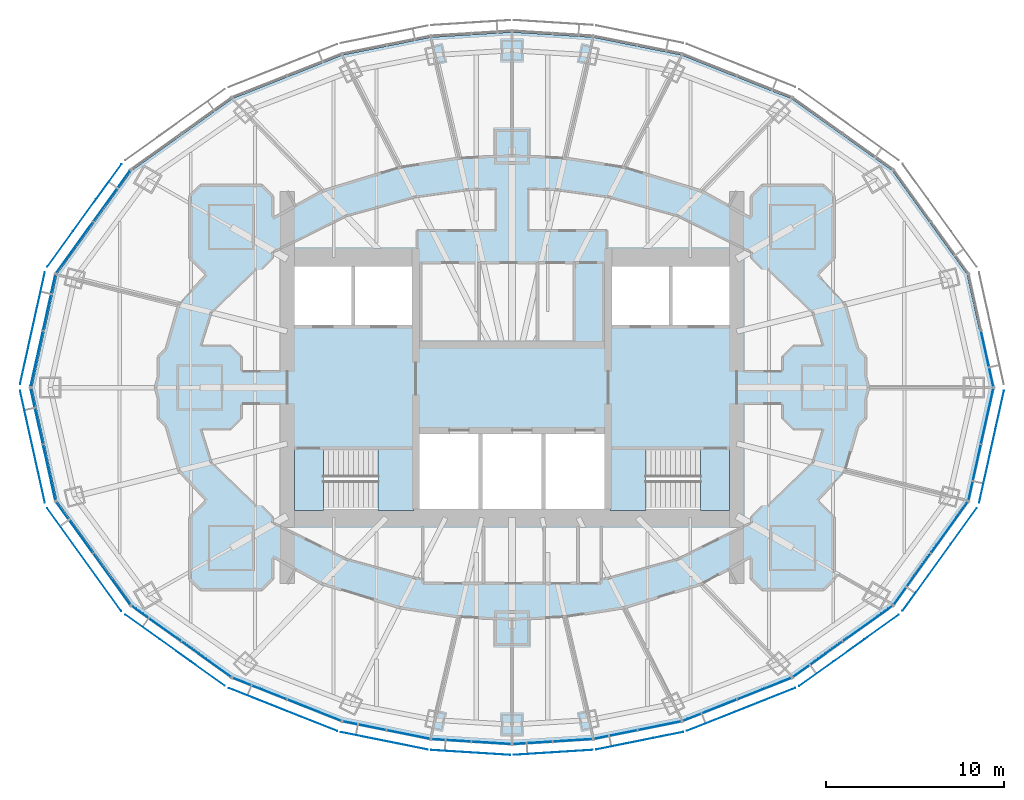
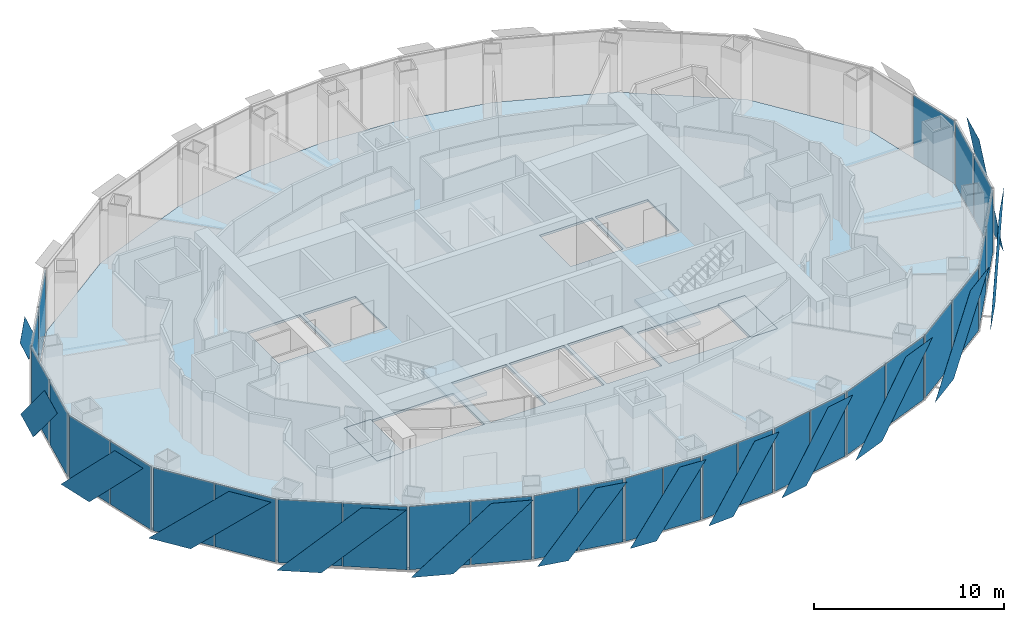
# One storey, part 10 of 19: 43 plates, 5 slabs, 17 elements without a shape of their own.
"""IFC4 building model written with IfcOpenShell, lengths in metres."""

from ifc_helpers import new_model, si_unit, direction, frame, origin, origin_2d, place, context, subcontext, project, spatial, polyline, rectangle, outline, extrude, material, layer, layer_set, type_object, element, aggregate, save


model = new_model("IFC4")

# Units and contexts
model_context = context("Model", 3, precision=1e-05, world=origin(), true_north=direction((0.0, 1.0)))
body_context = subcontext(model_context, "Body", "Model", "MODEL_VIEW")
ifc_project = project(units=[si_unit("LENGTHUNIT", "METRE"), si_unit("AREAUNIT", "SQUARE_METRE"), si_unit("VOLUMEUNIT", "CUBIC_METRE"), si_unit("PLANEANGLEUNIT", "RADIAN"), si_unit("MASSUNIT", "GRAM", prefix="KILO")], contexts=[model_context])

# Site, building, storey
site_placement = place(None, origin())
site = spatial("IfcSite", under=ifc_project, at=site_placement, CompositionType="ELEMENT")
building_placement = place(site_placement, origin())
building = spatial("IfcBuilding", under=site, at=building_placement, Name="Lantaw Convention Tower", CompositionType="ELEMENT")
storey_placement = place(building_placement, frame((0.0, 0.0, 245.199951171875)))
storey = spatial("IfcBuildingStorey", under=building, at=storey_placement, Name="L57", CompositionType="ELEMENT", Elevation=245.199951171875)

# Curtain wall, plate
ifc_material_1 = material(Name="Aluminium framed curtain wall", Category="aluminium")
curtain_wall_type = type_object("IfcCurtainWallType", Name="Office curtain wall high rise, pale aluminium", PredefinedType="USERDEFINED", material=ifc_material_1)
curtain_wall_1_placement = place(storey_placement, origin())
curtain_wall_1 = element("IfcCurtainWall", 1, at=curtain_wall_1_placement, inside=storey, type_object=curtain_wall_type, Name="Office curtain wall high rise, pale aluminium L57", ObjectType="UNITISED CURTAIN WALL", PredefinedType="USERDEFINED")
ifc_material_2 = material(Name="Clear insulating glass", Category="glass")
ifc_layer_1 = layer(ifc_material_2, 0.028076171875)
ifc_layer_set_1 = layer_set([ifc_layer_1], Name="CW-O2 panel 28")
plate_type_1 = type_object("IfcPlateType", Name="CW-O2 panel 28", PredefinedType="CURTAIN_PANEL", material=ifc_layer_set_1)
plate_1_placement = place(storey_placement, frame((26.643798828125, 1.61083984375, -0.0849609375), z_axis=(0.0, 0.0, 1.0), x_axis=(-0.215891333626, 0.976417396437, 0.0)))
plate_1 = element("IfcPlate", 2, at=plate_1_placement, type_object=plate_type_1, Name="CW-O2 panel 1.1", PredefinedType="CURTAIN_PANEL", context=body_context, shape_type="SweptSolid", body=[
    extrude(rectangle(XDim=3.169677734375, YDim=0.028076171875, at=origin_2d()), origin(), (0.0, 0.0, 1.0), 4.070068359375),
])
aggregate(curtain_wall_1, [plate_1])

# Curtain wall, plates
curtain_wall_2_placement = place(storey_placement, origin())
curtain_wall_2 = element("IfcCurtainWall", 3, at=curtain_wall_2_placement, inside=storey, type_object=curtain_wall_type, Name="Office curtain wall high rise, pale aluminium L57", ObjectType="UNITISED CURTAIN WALL", PredefinedType="USERDEFINED")
plate_2_placement = place(storey_placement, frame((-22.4404296875, 10.743896484375, -0.0849609375), z_axis=(0.0, 0.0, 1.0), x_axis=(-0.585157643865, -0.810919559405, 0.0)))
plate_2 = element("IfcPlate", 4, at=plate_2_placement, type_object=plate_type_1, Name="CW-O2 panel 1.1", PredefinedType="CURTAIN_PANEL", context=body_context, shape_type="SweptSolid", body=[
    extrude(rectangle(XDim=3.500732421875, YDim=0.028076171875, at=origin_2d()), origin(), (0.0, 0.0, 1.0), 4.070068359375),
])
plate_3_placement = place(storey_placement, frame((-24.527099609375, 7.852294921875, -0.0849609375), z_axis=(0.0, 0.0, 1.0), x_axis=(-0.585157643865, -0.810919559405, 0.0)))
plate_3 = element("IfcPlate", 5, at=plate_3_placement, type_object=plate_type_1, Name="CW-O2 panel 2.1", PredefinedType="CURTAIN_PANEL", context=body_context, shape_type="SweptSolid", body=[
    extrude(rectangle(XDim=3.500732421875, YDim=0.028076171875, at=origin_2d()), origin(), (0.0, 0.0, 1.0), 4.070068359375),
])
aggregate(curtain_wall_2, [plate_2, plate_3])

curtain_wall_3_placement = place(storey_placement, origin())
curtain_wall_3 = element("IfcCurtainWall", 6, at=curtain_wall_3_placement, inside=storey, type_object=curtain_wall_type, Name="Office curtain wall high rise, pale aluminium L57", ObjectType="UNITISED CURTAIN WALL", PredefinedType="USERDEFINED")
plate_4_placement = place(storey_placement, frame((-25.945556640625, 4.769287109375, -0.0849609375), z_axis=(0.0, 0.0, 1.0), x_axis=(-0.215891333626, -0.976417396437, 0.0)))
plate_4 = element("IfcPlate", 7, at=plate_4_placement, type_object=plate_type_1, Name="CW-O2 panel 1.1", PredefinedType="CURTAIN_PANEL", context=body_context, shape_type="SweptSolid", body=[
    extrude(rectangle(XDim=3.169677734375, YDim=0.028076171875, at=origin_2d()), origin(), (0.0, 0.0, 1.0), 4.070068359375),
])
plate_5_placement = place(storey_placement, frame((-26.643798828125, 1.61083984375, -0.0849609375), z_axis=(0.0, 0.0, 1.0), x_axis=(-0.215891333626, -0.976417396437, 0.0)))
plate_5 = element("IfcPlate", 8, at=plate_5_placement, type_object=plate_type_1, Name="CW-O2 panel 2.1", PredefinedType="CURTAIN_PANEL", context=body_context, shape_type="SweptSolid", body=[
    extrude(rectangle(XDim=3.169677734375, YDim=0.028076171875, at=origin_2d()), origin(), (0.0, 0.0, 1.0), 4.070068359375),
])
aggregate(curtain_wall_3, [plate_4, plate_5])

curtain_wall_4_placement = place(storey_placement, origin())
curtain_wall_4 = element("IfcCurtainWall", 9, at=curtain_wall_4_placement, inside=storey, type_object=curtain_wall_type, Name="Office curtain wall high rise, pale aluminium L57", ObjectType="UNITISED CURTAIN WALL", PredefinedType="USERDEFINED")
plate_6_placement = place(storey_placement, frame((-26.643798828125, -1.61083984375, -0.0849609375), z_axis=(0.0, 0.0, 1.0), x_axis=(0.215891333626, -0.976417396437, 0.0)))
plate_6 = element("IfcPlate", 10, at=plate_6_placement, type_object=plate_type_1, Name="CW-O2 panel 1.1", PredefinedType="CURTAIN_PANEL", context=body_context, shape_type="SweptSolid", body=[
    extrude(rectangle(XDim=3.169677734375, YDim=0.028076171875, at=origin_2d()), origin(), (0.0, 0.0, 1.0), 4.070068359375),
])
plate_7_placement = place(storey_placement, frame((-25.945556640625, -4.769287109375, -0.0849609375), z_axis=(0.0, 0.0, 1.0), x_axis=(0.215891333626, -0.976417396437, 0.0)))
plate_7 = element("IfcPlate", 11, at=plate_7_placement, type_object=plate_type_1, Name="CW-O2 panel 2.1", PredefinedType="CURTAIN_PANEL", context=body_context, shape_type="SweptSolid", body=[
    extrude(rectangle(XDim=3.169677734375, YDim=0.028076171875, at=origin_2d()), origin(), (0.0, 0.0, 1.0), 4.070068359375),
])
aggregate(curtain_wall_4, [plate_6, plate_7])

curtain_wall_5_placement = place(storey_placement, origin())
curtain_wall_5 = element("IfcCurtainWall", 12, at=curtain_wall_5_placement, inside=storey, type_object=curtain_wall_type, Name="Office curtain wall high rise, pale aluminium L57", ObjectType="UNITISED CURTAIN WALL", PredefinedType="USERDEFINED")
plate_8_placement = place(storey_placement, frame((-24.527099609375, -7.852294921875, -0.0849609375), z_axis=(0.0, 0.0, 1.0), x_axis=(0.585157643865, -0.810919559405, 0.0)))
plate_8 = element("IfcPlate", 13, at=plate_8_placement, type_object=plate_type_1, Name="CW-O2 panel 1.1", PredefinedType="CURTAIN_PANEL", context=body_context, shape_type="SweptSolid", body=[
    extrude(rectangle(XDim=3.500732421875, YDim=0.028076171875, at=origin_2d()), origin(), (0.0, 0.0, 1.0), 4.070068359375),
])
plate_9_placement = place(storey_placement, frame((-22.4404296875, -10.743896484375, -0.0849609375), z_axis=(0.0, 0.0, 1.0), x_axis=(0.585157643865, -0.810919559405, 0.0)))
plate_9 = element("IfcPlate", 14, at=plate_9_placement, type_object=plate_type_1, Name="CW-O2 panel 2.1", PredefinedType="CURTAIN_PANEL", context=body_context, shape_type="SweptSolid", body=[
    extrude(rectangle(XDim=3.500732421875, YDim=0.028076171875, at=origin_2d()), origin(), (0.0, 0.0, 1.0), 4.070068359375),
])
aggregate(curtain_wall_5, [plate_8, plate_9])

curtain_wall_6_placement = place(storey_placement, origin())
curtain_wall_6 = element("IfcCurtainWall", 15, at=curtain_wall_6_placement, inside=storey, type_object=curtain_wall_type, Name="Office curtain wall high rise, pale aluminium L57", ObjectType="UNITISED CURTAIN WALL", PredefinedType="USERDEFINED")
plate_10_placement = place(storey_placement, frame((-19.947509765625, -13.23828125, -0.0849609375), z_axis=(0.0, 0.0, 1.0), x_axis=(0.813672540482, -0.581323487281, 0.0)))
plate_10 = element("IfcPlate", 16, at=plate_10_placement, type_object=plate_type_1, Name="CW-O2 panel 1.1", PredefinedType="CURTAIN_PANEL", context=body_context, shape_type="SweptSolid", body=[
    extrude(rectangle(XDim=3.386474609375, YDim=0.028076171875, at=origin_2d()), origin(), (0.0, 0.0, 1.0), 4.070068359375),
])
plate_11_placement = place(storey_placement, frame((-17.13916015625, -15.24462890625, -0.0849609375), z_axis=(0.0, 0.0, 1.0), x_axis=(0.813672540482, -0.581323487281, 0.0)))
plate_11 = element("IfcPlate", 17, at=plate_11_placement, type_object=plate_type_1, Name="CW-O2 panel 2.1", PredefinedType="CURTAIN_PANEL", context=body_context, shape_type="SweptSolid", body=[
    extrude(rectangle(XDim=3.386474609375, YDim=0.028076171875, at=origin_2d()), origin(), (0.0, 0.0, 1.0), 4.070068359375),
])
aggregate(curtain_wall_6, [plate_10, plate_11])

curtain_wall_7_placement = place(storey_placement, origin())
curtain_wall_7 = element("IfcCurtainWall", 18, at=curtain_wall_7_placement, inside=storey, type_object=curtain_wall_type, Name="Office curtain wall high rise, pale aluminium L57", ObjectType="UNITISED CURTAIN WALL", PredefinedType="USERDEFINED")
plate_12_placement = place(storey_placement, frame((-14.14990234375, -16.8837890625, -0.0849609375), z_axis=(0.0, 0.0, 1.0), x_axis=(0.929761533743, -0.368162315252, 0.0)))
plate_12 = element("IfcPlate", 19, at=plate_12_placement, type_object=plate_type_1, Name="CW-O2 panel 1.1", PredefinedType="CURTAIN_PANEL", context=body_context, shape_type="SweptSolid", body=[
    extrude(rectangle(XDim=3.222900390625, YDim=0.028076171875, at=origin_2d()), origin(), (0.0, 0.0, 1.0), 4.070068359375),
])
plate_13_placement = place(storey_placement, frame((-11.0927734375, -18.094482421875, -0.0849609375), z_axis=(0.0, 0.0, 1.0), x_axis=(0.929761533743, -0.368162315252, 0.0)))
plate_13 = element("IfcPlate", 20, at=plate_13_placement, type_object=plate_type_1, Name="CW-O2 panel 2.1", PredefinedType="CURTAIN_PANEL", context=body_context, shape_type="SweptSolid", body=[
    extrude(rectangle(XDim=3.222900390625, YDim=0.028076171875, at=origin_2d()), origin(), (0.0, 0.0, 1.0), 4.070068359375),
])
aggregate(curtain_wall_7, [plate_12, plate_13])

curtain_wall_8_placement = place(storey_placement, origin())
curtain_wall_8 = element("IfcCurtainWall", 21, at=curtain_wall_8_placement, inside=storey, type_object=curtain_wall_type, Name="Office curtain wall high rise, pale aluminium L57", ObjectType="UNITISED CURTAIN WALL", PredefinedType="USERDEFINED")
plate_14_placement = place(storey_placement, frame((-8.2724609375, -18.96533203125, -0.0849609375), z_axis=(0.0, 0.0, 1.0), x_axis=(0.980366679695, -0.197183095987, 0.0)))
plate_14 = element("IfcPlate", 22, at=plate_14_placement, type_object=plate_type_1, Name="CW-O2 panel 1.1", PredefinedType="CURTAIN_PANEL", context=body_context, shape_type="SweptSolid", body=[
    extrude(rectangle(XDim=2.44384765625, YDim=0.028076171875, at=origin_2d()), origin(), (0.0, 0.0, 1.0), 4.070068359375),
])
plate_15_placement = place(storey_placement, frame((-5.81298828125, -19.4599609375, -0.0849609375), z_axis=(0.0, 0.0, 1.0), x_axis=(0.980366679695, -0.197183095987, 0.0)))
plate_15 = element("IfcPlate", 23, at=plate_15_placement, type_object=plate_type_1, Name="CW-O2 panel 2.1", PredefinedType="CURTAIN_PANEL", context=body_context, shape_type="SweptSolid", body=[
    extrude(rectangle(XDim=2.44384765625, YDim=0.028076171875, at=origin_2d()), origin(), (0.0, 0.0, 1.0), 4.070068359375),
])
aggregate(curtain_wall_8, [plate_14, plate_15])

curtain_wall_9_placement = place(storey_placement, origin())
curtain_wall_9 = element("IfcCurtainWall", 24, at=curtain_wall_9_placement, inside=storey, type_object=curtain_wall_type, Name="Office curtain wall high rise, pale aluminium L57", ObjectType="UNITISED CURTAIN WALL", PredefinedType="USERDEFINED")
plate_16_placement = place(storey_placement, frame((-3.397216796875, -19.786376953125, -0.0849609375), z_axis=(0.0, 0.0, 1.0), x_axis=(0.998028774865, -0.062757983884, 0.0)))
plate_16 = element("IfcPlate", 25, at=plate_16_placement, type_object=plate_type_1, Name="CW-O2 panel 1.1", PredefinedType="CURTAIN_PANEL", context=body_context, shape_type="SweptSolid", body=[
    extrude(rectangle(XDim=2.1826171875, YDim=0.028076171875, at=origin_2d()), origin(), (0.0, 0.0, 1.0), 4.070068359375),
])
plate_17_placement = place(storey_placement, frame((-1.154052734375, -19.927490234375, -0.0849609375), z_axis=(0.0, 0.0, 1.0), x_axis=(0.998028774865, -0.062757983884, 0.0)))
plate_17 = element("IfcPlate", 26, at=plate_17_placement, type_object=plate_type_1, Name="CW-O2 panel 2.1", PredefinedType="CURTAIN_PANEL", context=body_context, shape_type="SweptSolid", body=[
    extrude(rectangle(XDim=2.1826171875, YDim=0.028076171875, at=origin_2d()), origin(), (0.0, 0.0, 1.0), 4.070068359375),
])
aggregate(curtain_wall_9, [plate_16, plate_17])

curtain_wall_10_placement = place(storey_placement, origin())
curtain_wall_10 = element("IfcCurtainWall", 27, at=curtain_wall_10_placement, inside=storey, type_object=curtain_wall_type, Name="Office curtain wall high rise, pale aluminium L57", ObjectType="UNITISED CURTAIN WALL", PredefinedType="USERDEFINED")
plate_18_placement = place(storey_placement, frame((1.154052734375, -19.927490234375, -0.0849609375), z_axis=(0.0, 0.0, 1.0), x_axis=(0.998028774865, 0.062757983884, 0.0)))
plate_18 = element("IfcPlate", 28, at=plate_18_placement, type_object=plate_type_1, Name="CW-O2 panel 1.1", PredefinedType="CURTAIN_PANEL", context=body_context, shape_type="SweptSolid", body=[
    extrude(rectangle(XDim=2.1826171875, YDim=0.028076171875, at=origin_2d()), origin(), (0.0, 0.0, 1.0), 4.070068359375),
])
plate_19_placement = place(storey_placement, frame((3.397216796875, -19.786376953125, -0.0849609375), z_axis=(0.0, 0.0, 1.0), x_axis=(0.998028774865, 0.062757983884, 0.0)))
plate_19 = element("IfcPlate", 29, at=plate_19_placement, type_object=plate_type_1, Name="CW-O2 panel 2.1", PredefinedType="CURTAIN_PANEL", context=body_context, shape_type="SweptSolid", body=[
    extrude(rectangle(XDim=2.1826171875, YDim=0.028076171875, at=origin_2d()), origin(), (0.0, 0.0, 1.0), 4.070068359375),
])
aggregate(curtain_wall_10, [plate_18, plate_19])

curtain_wall_11_placement = place(storey_placement, origin())
curtain_wall_11 = element("IfcCurtainWall", 30, at=curtain_wall_11_placement, inside=storey, type_object=curtain_wall_type, Name="Office curtain wall high rise, pale aluminium L57", ObjectType="UNITISED CURTAIN WALL", PredefinedType="USERDEFINED")
plate_20_placement = place(storey_placement, frame((5.81298828125, -19.4599609375, -0.0849609375), z_axis=(0.0, 0.0, 1.0), x_axis=(0.980366679695, 0.197183095987, 0.0)))
plate_20 = element("IfcPlate", 31, at=plate_20_placement, type_object=plate_type_1, Name="CW-O2 panel 1.1", PredefinedType="CURTAIN_PANEL", context=body_context, shape_type="SweptSolid", body=[
    extrude(rectangle(XDim=2.44384765625, YDim=0.028076171875, at=origin_2d()), origin(), (0.0, 0.0, 1.0), 4.070068359375),
])
plate_21_placement = place(storey_placement, frame((8.2724609375, -18.96533203125, -0.0849609375), z_axis=(0.0, 0.0, 1.0), x_axis=(0.980366679695, 0.197183095987, 0.0)))
plate_21 = element("IfcPlate", 32, at=plate_21_placement, type_object=plate_type_1, Name="CW-O2 panel 2.1", PredefinedType="CURTAIN_PANEL", context=body_context, shape_type="SweptSolid", body=[
    extrude(rectangle(XDim=2.44384765625, YDim=0.028076171875, at=origin_2d()), origin(), (0.0, 0.0, 1.0), 4.070068359375),
])
aggregate(curtain_wall_11, [plate_20, plate_21])

curtain_wall_12_placement = place(storey_placement, origin())
curtain_wall_12 = element("IfcCurtainWall", 33, at=curtain_wall_12_placement, inside=storey, type_object=curtain_wall_type, Name="Office curtain wall high rise, pale aluminium L57", ObjectType="UNITISED CURTAIN WALL", PredefinedType="USERDEFINED")
plate_22_placement = place(storey_placement, frame((11.0927734375, -18.094482421875, -0.0849609375), z_axis=(0.0, 0.0, 1.0), x_axis=(0.929761533743, 0.368162315252, 0.0)))
plate_22 = element("IfcPlate", 34, at=plate_22_placement, type_object=plate_type_1, Name="CW-O2 panel 1.1", PredefinedType="CURTAIN_PANEL", context=body_context, shape_type="SweptSolid", body=[
    extrude(rectangle(XDim=3.222900390625, YDim=0.028076171875, at=origin_2d()), origin(), (0.0, 0.0, 1.0), 4.070068359375),
])
plate_23_placement = place(storey_placement, frame((14.14990234375, -16.8837890625, -0.0849609375), z_axis=(0.0, 0.0, 1.0), x_axis=(0.929761533743, 0.368162315252, 0.0)))
plate_23 = element("IfcPlate", 35, at=plate_23_placement, type_object=plate_type_1, Name="CW-O2 panel 2.1", PredefinedType="CURTAIN_PANEL", context=body_context, shape_type="SweptSolid", body=[
    extrude(rectangle(XDim=3.222900390625, YDim=0.028076171875, at=origin_2d()), origin(), (0.0, 0.0, 1.0), 4.070068359375),
])
aggregate(curtain_wall_12, [plate_22, plate_23])

curtain_wall_13_placement = place(storey_placement, origin())
curtain_wall_13 = element("IfcCurtainWall", 36, at=curtain_wall_13_placement, inside=storey, type_object=curtain_wall_type, Name="Office curtain wall high rise, pale aluminium L57", ObjectType="UNITISED CURTAIN WALL", PredefinedType="USERDEFINED")
plate_24_placement = place(storey_placement, frame((17.13916015625, -15.24462890625, -0.0849609375), z_axis=(0.0, 0.0, 1.0), x_axis=(0.813672540482, 0.581323487281, 0.0)))
plate_24 = element("IfcPlate", 37, at=plate_24_placement, type_object=plate_type_1, Name="CW-O2 panel 1.1", PredefinedType="CURTAIN_PANEL", context=body_context, shape_type="SweptSolid", body=[
    extrude(rectangle(XDim=3.386474609375, YDim=0.028076171875, at=origin_2d()), origin(), (0.0, 0.0, 1.0), 4.070068359375),
])
plate_25_placement = place(storey_placement, frame((19.947509765625, -13.23828125, -0.0849609375), z_axis=(0.0, 0.0, 1.0), x_axis=(0.813672540482, 0.581323487281, 0.0)))
plate_25 = element("IfcPlate", 38, at=plate_25_placement, type_object=plate_type_1, Name="CW-O2 panel 2.1", PredefinedType="CURTAIN_PANEL", context=body_context, shape_type="SweptSolid", body=[
    extrude(rectangle(XDim=3.386474609375, YDim=0.028076171875, at=origin_2d()), origin(), (0.0, 0.0, 1.0), 4.070068359375),
])
aggregate(curtain_wall_13, [plate_24, plate_25])

curtain_wall_14_placement = place(storey_placement, origin())
curtain_wall_14 = element("IfcCurtainWall", 39, at=curtain_wall_14_placement, inside=storey, type_object=curtain_wall_type, Name="Office curtain wall high rise, pale aluminium L57", ObjectType="UNITISED CURTAIN WALL", PredefinedType="USERDEFINED")
plate_26_placement = place(storey_placement, frame((22.4404296875, -10.743896484375, -0.0849609375), z_axis=(0.0, 0.0, 1.0), x_axis=(0.585157643865, 0.810919559405, 0.0)))
plate_26 = element("IfcPlate", 40, at=plate_26_placement, type_object=plate_type_1, Name="CW-O2 panel 1.1", PredefinedType="CURTAIN_PANEL", context=body_context, shape_type="SweptSolid", body=[
    extrude(rectangle(XDim=3.500732421875, YDim=0.028076171875, at=origin_2d()), origin(), (0.0, 0.0, 1.0), 4.070068359375),
])
plate_27_placement = place(storey_placement, frame((24.527099609375, -7.852294921875, -0.0849609375), z_axis=(0.0, 0.0, 1.0), x_axis=(0.585157643865, 0.810919559405, 0.0)))
plate_27 = element("IfcPlate", 41, at=plate_27_placement, type_object=plate_type_1, Name="CW-O2 panel 2.1", PredefinedType="CURTAIN_PANEL", context=body_context, shape_type="SweptSolid", body=[
    extrude(rectangle(XDim=3.500732421875, YDim=0.028076171875, at=origin_2d()), origin(), (0.0, 0.0, 1.0), 4.070068359375),
])
aggregate(curtain_wall_14, [plate_26, plate_27])

curtain_wall_15_placement = place(storey_placement, origin())
curtain_wall_15 = element("IfcCurtainWall", 42, at=curtain_wall_15_placement, inside=storey, type_object=curtain_wall_type, Name="Office curtain wall high rise, pale aluminium L57", ObjectType="UNITISED CURTAIN WALL", PredefinedType="USERDEFINED")
plate_28_placement = place(storey_placement, frame((25.945556640625, -4.769287109375, -0.0849609375), z_axis=(0.0, 0.0, 1.0), x_axis=(0.215891333626, 0.976417396437, 0.0)))
plate_28 = element("IfcPlate", 43, at=plate_28_placement, type_object=plate_type_1, Name="CW-O2 panel 1.1", PredefinedType="CURTAIN_PANEL", context=body_context, shape_type="SweptSolid", body=[
    extrude(rectangle(XDim=3.169677734375, YDim=0.028076171875, at=origin_2d()), origin(), (0.0, 0.0, 1.0), 4.070068359375),
])
plate_29_placement = place(storey_placement, frame((26.643798828125, -1.61083984375, -0.0849609375), z_axis=(0.0, 0.0, 1.0), x_axis=(0.215891333626, 0.976417396437, 0.0)))
plate_29 = element("IfcPlate", 44, at=plate_29_placement, type_object=plate_type_1, Name="CW-O2 panel 2.1", PredefinedType="CURTAIN_PANEL", context=body_context, shape_type="SweptSolid", body=[
    extrude(rectangle(XDim=3.169677734375, YDim=0.028076171875, at=origin_2d()), origin(), (0.0, 0.0, 1.0), 4.070068359375),
])
aggregate(curtain_wall_15, [plate_28, plate_29])

# Slab
ifc_material_3 = material(Name="Concrete C35/45", Category="concrete")
ifc_layer_2 = layer(ifc_material_3, 0.14990234375)
ifc_layer_set_2 = layer_set([ifc_layer_2], Name="Floor slab 150")
slab_type_1 = type_object("IfcSlabType", Name="Floor slab 150", PredefinedType="FLOOR", material=ifc_layer_set_2)
slab_1_placement = place(storey_placement, frame((0.0, 0.0, -0.14990234375)))
element("IfcSlab", 45, at=slab_1_placement, inside=storey, type_object=slab_type_1, Name="L57 floor slab", PredefinedType="FLOOR", context=body_context, shape_type="SweptSolid", body=[
    extrude(outline(polyline([(25.51953125, -6.348876953125), (26.923095703125, 0.0), (25.51953125, 6.348876953125), (21.324462890625, 12.162109375), (15.67236328125, 16.2001953125), (9.5126953125, 18.639404296875), (4.54150390625, 19.63916015625), (0.0, 19.9248046875), (-4.54150390625, 19.63916015625), (-9.5126953125, 18.639404296875), (-15.67236328125, 16.2001953125), (-21.324462890625, 12.162109375), (-25.51953125, 6.348876953125), (-26.923095703125, 0.0), (-25.51953125, -6.348876953125), (-21.324462890625, -12.162109375), (-15.67236328125, -16.2001953125), (-9.5126953125, -18.639404296875), (-4.54150390625, -19.63916015625), (0.0, -19.9248046875), (4.54150390625, -19.63916015625), (9.5126953125, -18.639404296875), (15.67236328125, -16.2001953125), (21.324462890625, -12.162109375), (25.51953125, -6.348876953125)]), holes=[polyline([(-5.60009765625, -3.5), (-12.199951171875, -3.5), (-12.199951171875, -6.800048828125), (-5.60009765625, -6.800048828125), (-5.60009765625, -3.5)]), polyline([(12.199951171875, -3.5), (5.60009765625, -3.5), (5.60009765625, -6.800048828125), (12.199951171875, -6.800048828125), (12.199951171875, -3.5)]), polyline([(-1.86669921875, -2.60009765625), (-5.199951171875, -2.60009765625), (-5.199951171875, -6.800048828125), (-1.86669921875, -6.800048828125), (-1.86669921875, -2.60009765625)]), polyline([(1.666748046875, -2.60009765625), (-1.666748046875, -2.60009765625), (-1.666748046875, -6.800048828125), (1.666748046875, -6.800048828125), (1.666748046875, -2.60009765625)]), polyline([(5.199951171875, -2.60009765625), (1.86669921875, -2.60009765625), (1.86669921875, -6.800048828125), (5.199951171875, -6.800048828125), (5.199951171875, -2.60009765625)]), polyline([(-9.0, 6.800048828125), (-12.199951171875, 6.800048828125), (-12.199951171875, 3.5), (-9.0, 3.5), (-9.0, 6.800048828125)]), polyline([(-5.60009765625, 6.800048828125), (-8.800048828125, 6.800048828125), (-8.800048828125, 3.5), (-5.60009765625, 3.5), (-5.60009765625, 6.800048828125)]), polyline([(8.800048828125, 3.5), (8.800048828125, 6.800048828125), (5.60009765625, 6.800048828125), (5.60009765625, 3.5), (8.800048828125, 3.5)]), polyline([(12.199951171875, 3.5), (12.199951171875, 6.800048828125), (9.0, 6.800048828125), (9.0, 3.5), (12.199951171875, 3.5)])]), origin(), (0.0, 0.0, 1.0), 0.14990234375),
])

# Plates
ifc_material_4 = material(Name="Perforated aluminium sheet, pale silver finish", Category="aluminium")
ifc_layer_3 = layer(ifc_material_4, 0.006103515625)
ifc_layer_set_3 = layer_set([ifc_layer_3], Name="Perforated aluminium solar SCREEN panel")
plate_type_2 = type_object("IfcPlateType", Name="Perforated aluminium solar SCREEN panel", PredefinedType="SHEET", material=ifc_layer_set_3)
plate_30_placement = place(storey_placement, frame((-21.898681640625, 12.530029296875, -0.175048828125), z_axis=(-0.810892289695, 0.585195432394, 2.0458414e-05), x_axis=(-0.585195432516, -0.810892289865, 0.0)))
element("IfcPlate", 46, at=plate_30_placement, inside=storey, type_object=plate_type_2, Name="Solar SCREEN panel", PredefinedType="SHEET", context=body_context, shape_type="SweptSolid", body=[
    extrude(outline(polyline([(0.0, 0.0), (2.446848840683286, -6.776263578034403e-21), (7.09661046667572, 4.340087891533265), (4.649761625992435, 4.340087891533265), (0.0, 0.0)])), origin(), (0.0, 0.0, -1.0), 0.006103515625),
])
plate_31_placement = place(storey_placement, frame((-26.19189453125, 6.462158203125, -0.175048828125), z_axis=(0.976429511424, -0.215836529031, 4.4219438e-05), x_axis=(-0.215836529242, -0.976429512379, 0.0)))
element("IfcPlate", 47, at=plate_31_placement, inside=storey, type_object=plate_type_2, Name="Solar SCREEN panel", PredefinedType="SHEET", context=body_context, shape_type="SweptSolid", body=[
    extrude(outline(polyline([(0.0, 0.0), (2.2215525295212517, 3.3881317890172014e-21), (6.4341686174090675, -4.340087894868215), (4.212616087887817, -4.340087894868215), (0.0, 0.0)])), origin(), (0.0, 0.0, -1.0), 0.006103515625),
])
plate_32_placement = place(storey_placement, frame((-27.580810546875, -0.1796875, -0.175048828125), z_axis=(-0.976429511424, -0.215836529031, 4.4219438e-05), x_axis=(0.215836529242, -0.976429512379, 0.0)))
element("IfcPlate", 48, at=plate_32_placement, inside=storey, type_object=plate_type_2, Name="Solar SCREEN panel", PredefinedType="SHEET", context=body_context, shape_type="SweptSolid", body=[
    extrude(outline(polyline([(0.0, 0.0), (2.2215525295212517, -3.3881317890172014e-21), (6.4341686174090675, 4.340087894868215), (4.212616087887817, 4.340087894868215), (0.0, 0.0)])), origin(), (0.0, 0.0, -1.0), 0.006103515625),
])
plate_33_placement = place(storey_placement, frame((-26.051513671875, -6.775390625, -0.175048828125), z_axis=(0.810892289695, 0.585195432394, 2.0458414e-05), x_axis=(0.585195432516, -0.810892289865, 0.0)))
element("IfcPlate", 49, at=plate_33_placement, inside=storey, type_object=plate_type_2, Name="Solar SCREEN panel", PredefinedType="SHEET", context=body_context, shape_type="SweptSolid", body=[
    extrude(outline(polyline([(0.0, 0.0), (2.446848840683286, 6.776263578034403e-21), (7.09661046667572, -4.340087891533265), (4.649761625992435, -4.340087891533265), (0.0, 0.0)])), origin(), (0.0, 0.0, -1.0), 0.006103515625),
])
plate_34_placement = place(storey_placement, frame((-21.689697265625, -12.73828125, -0.175048828125), z_axis=(-0.581330799771, -0.813667316006, 1.0072414e-05), x_axis=(0.813667316047, -0.5813307998, 3.02e-10)))
element("IfcPlate", 50, at=plate_34_placement, inside=storey, type_object=plate_type_2, Name="Solar SCREEN panel", PredefinedType="SHEET", context=body_context, shape_type="SweptSolid", body=[
    extrude(outline(polyline([(0.0, 0.0), (2.3691416428668504, 0.0), (6.867806096558412, 4.34008788877314), (4.498863102938644, 4.340087890202622), (0.0, 0.0)])), origin(), (0.0, 0.0, -1.0), 0.006103515625),
])
plate_35_placement = place(storey_placement, frame((-15.88525390625, -16.8486328125, -0.175048828125), z_axis=(0.368116612072, 0.929779629081, 3.5533269e-05), x_axis=(0.929779629668, -0.368116612304, -1.786e-09)))
element("IfcPlate", 51, at=plate_35_placement, inside=storey, type_object=plate_type_2, Name="Solar SCREEN panel", PredefinedType="SHEET", context=body_context, shape_type="SweptSolid", body=[
    extrude(outline(polyline([(0.0, 0.0), (2.2578720663572183, -3.3881317890172014e-21), (6.540904465438181, -4.340087905048178), (4.282942526861161, -4.340087896982072), (0.0, 0.0)])), origin(), (0.0, 0.0, -1.0), 0.006103515625),
])
plate_36_placement = place(storey_placement, frame((-9.6044921875, -19.315673828125, -0.175048828125), z_axis=(0.197162069853, 0.980370908428, 1.0904083e-05), x_axis=(0.980370908486, -0.197162069865, -7.55e-10)))
element("IfcPlate", 52, at=plate_36_placement, inside=storey, type_object=plate_type_2, Name="Solar SCREEN panel", PredefinedType="SHEET", context=body_context, shape_type="SweptSolid", body=[
    extrude(outline(polyline([(0.0, 0.0), (1.7279870169553606, 8.470329472543003e-22), (4.982578440602753, -4.340087894645749), (3.2545432883764285, -4.340087892035838), (0.0, 0.0)])), origin(), (0.0, 0.0, -1.0), 0.006103515625),
])
plate_37_placement = place(storey_placement, frame((-4.539306640625, -20.32177734375, -0.175048828125), z_axis=(0.062672387577, 0.998034151922, 5.858668e-05), x_axis=(0.998034153635, -0.062672387685, 0.0)))
element("IfcPlate", 53, at=plate_37_placement, inside=storey, type_object=plate_type_2, Name="Solar SCREEN panel", PredefinedType="SHEET", context=body_context, shape_type="SweptSolid", body=[
    extrude(outline(polyline([(0.0, 0.0), (1.5504111513762302, 8.470329472543003e-22), (4.460200019412434, -4.340087898073457), (2.9097888680362036, -4.340087898073457), (0.0, 0.0)])), origin(), (0.0, 0.0, -1.0), 0.006103515625),
])
plate_38_placement = place(storey_placement, frame((0.087890625, -20.6015625, -0.175048828125), z_axis=(0.062672387577, -0.998034151922, 5.858668e-05), x_axis=(0.998034153635, 0.062672387685, 0.0)))
element("IfcPlate", 54, at=plate_38_placement, inside=storey, type_object=plate_type_2, Name="Solar SCREEN panel", PredefinedType="SHEET", context=body_context, shape_type="SweptSolid", body=[
    extrude(outline(polyline([(0.0, 0.0), (1.5504111513762302, -8.470329472543003e-22), (4.460200019412434, 4.340087898073457), (2.9097888680362036, 4.340087898073457), (0.0, 0.0)])), origin(), (0.0, 0.0, -1.0), 0.006103515625),
])
plate_39_placement = place(storey_placement, frame((4.7197265625, -20.298095703125, -0.175048828125), z_axis=(0.197162069853, -0.980370908428, 1.0904083e-05), x_axis=(0.980370908486, 0.197162069865, 7.55e-10)))
element("IfcPlate", 55, at=plate_39_placement, inside=storey, type_object=plate_type_2, Name="Solar SCREEN panel", PredefinedType="SHEET", context=body_context, shape_type="SweptSolid", body=[
    extrude(outline(polyline([(0.0, 0.0), (1.7280351522263238, 4.235164736271502e-22), (4.982578447157737, 4.34008788712039), (3.2545914302023755, 4.340087889730228), (0.0, 0.0)])), origin(), (0.0, 0.0, -1.0), 0.006103515625),
])
plate_40_placement = place(storey_placement, frame((9.8037109375, -19.256591796875, -0.175048828125), z_axis=(0.368116612072, -0.929779629081, 3.5533269e-05), x_axis=(0.929779629668, 0.368116612304, 1.786e-09)))
element("IfcPlate", 56, at=plate_40_placement, inside=storey, type_object=plate_type_2, Name="Solar SCREEN panel", PredefinedType="SHEET", context=body_context, shape_type="SweptSolid", body=[
    extrude(outline(polyline([(0.0, 0.0), (2.257961938577019, 0.0), (6.540904480942253, 4.34008788168214), (4.283032414585035, 4.340087889747925), (0.0, 0.0)])), origin(), (0.0, 0.0, -1.0), 0.006103515625),
])
plate_41_placement = place(storey_placement, frame((16.1015625, -16.730712890625, -0.175048828125), z_axis=(-0.581330799771, 0.813667316006, 1.0072414e-05), x_axis=(0.813667316047, 0.5813307998, -3.02e-10)))
element("IfcPlate", 57, at=plate_41_placement, inside=storey, type_object=plate_type_2, Name="Solar SCREEN panel", PredefinedType="SHEET", context=body_context, shape_type="SweptSolid", body=[
    extrude(outline(polyline([(0.0, 0.0), (2.3689429936197683, -1.6940658945086007e-21), (6.867806093939489, -4.340087892917353), (4.498664451072639, -4.340087891487751), (0.0, 0.0)])), origin(), (0.0, 0.0, -1.0), 0.006103515625),
])
plate_42_placement = place(storey_placement, frame((21.898681640625, -12.530029296875, -0.175048828125), z_axis=(0.810892289695, -0.585195432394, 2.0458414e-05), x_axis=(0.585195432516, 0.810892289865, 0.0)))
element("IfcPlate", 58, at=plate_42_placement, inside=storey, type_object=plate_type_2, Name="Solar SCREEN panel", PredefinedType="SHEET", context=body_context, shape_type="SweptSolid", body=[
    extrude(outline(polyline([(0.0, 0.0), (2.446848840683286, -6.776263578034403e-21), (7.09661046667572, 4.340087891533265), (4.649761625992435, 4.340087891533265), (0.0, 0.0)])), origin(), (0.0, 0.0, -1.0), 0.006103515625),
])
plate_43_placement = place(storey_placement, frame((26.19189453125, -6.462158203125, -0.175048828125), z_axis=(-0.976429511424, 0.215836529031, 4.4219438e-05), x_axis=(0.215836529242, 0.976429512379, 0.0)))
element("IfcPlate", 59, at=plate_43_placement, inside=storey, type_object=plate_type_2, Name="Solar SCREEN panel", PredefinedType="SHEET", context=body_context, shape_type="SweptSolid", body=[
    extrude(outline(polyline([(0.0, 0.0), (2.2215525295212517, 3.3881317890172014e-21), (6.4341686174090675, -4.340087894868215), (4.212616087887817, -4.340087894868215), (0.0, 0.0)])), origin(), (0.0, 0.0, -1.0), 0.006103515625),
])

# Stair, slabs
stair_type = type_object("IfcStairType", Name="Exit stair 1500 riser 175 in 2 flights", PredefinedType="HALF_TURN_STAIR", material=ifc_material_3)
stair_1_placement = place(storey_placement, origin())
stair_1 = element("IfcStair", 60, at=stair_1_placement, inside=storey, type_object=stair_type, Name="Exit stair S1 L57", PredefinedType="HALF_TURN_STAIR")
ifc_layer_4 = layer(ifc_material_3, 0.199951171875)
ifc_layer_set_4 = layer_set([ifc_layer_4], Name="Stair landing 200")
slab_type_2 = type_object("IfcSlabType", Name="Stair landing 200", PredefinedType="LANDING", material=ifc_layer_set_4)
slab_2_placement = place(storey_placement, frame((0.0, 0.0, -0.199951171875)))
slab_2 = element("IfcSlab", 61, at=slab_2_placement, type_object=slab_type_2, Name="S1 landing 1", PredefinedType="LANDING", context=body_context, shape_type="SweptSolid", body=[
    extrude(outline(polyline([(-12.199951171875, -6.89990234375), (-10.580078125, -6.89990234375), (-10.580078125, -3.39990234375), (-12.199951171875, -3.39990234375), (-12.199951171875, -6.89990234375)])), origin(), (0.0, 0.0, 1.0), 0.199951171875),
])
slab_3_placement = place(storey_placement, frame((0.0, 0.0, 1.900146484375)))
slab_3 = element("IfcSlab", 62, at=slab_3_placement, type_object=slab_type_2, Name="S1 landing 2", PredefinedType="LANDING", context=body_context, shape_type="SweptSolid", body=[
    extrude(outline(polyline([(-7.5, -6.89990234375), (-5.5, -6.89990234375), (-5.5, -3.39990234375), (-7.5, -3.39990234375), (-7.5, -6.89990234375)])), origin(), (0.0, 0.0, 1.0), 0.199951171875),
])
aggregate(stair_1, [slab_2, slab_3])

stair_2_placement = place(storey_placement, origin())
stair_2 = element("IfcStair", 63, at=stair_2_placement, inside=storey, type_object=stair_type, Name="Exit stair S2 L57", PredefinedType="HALF_TURN_STAIR")
slab_4_placement = place(storey_placement, frame((0.0, 0.0, -0.199951171875)))
slab_4 = element("IfcSlab", 64, at=slab_4_placement, type_object=slab_type_2, Name="S2 landing 1", PredefinedType="LANDING", context=body_context, shape_type="SweptSolid", body=[
    extrude(outline(polyline([(10.580078125, -6.89990234375), (12.199951171875, -6.89990234375), (12.199951171875, -3.39990234375), (10.580078125, -3.39990234375), (10.580078125, -6.89990234375)])), origin(), (0.0, 0.0, 1.0), 0.199951171875),
])
slab_5_placement = place(storey_placement, frame((0.0, 0.0, 1.900146484375)))
slab_5 = element("IfcSlab", 65, at=slab_5_placement, type_object=slab_type_2, Name="S2 landing 2", PredefinedType="LANDING", context=body_context, shape_type="SweptSolid", body=[
    extrude(outline(polyline([(5.5, -6.89990234375), (7.5, -6.89990234375), (7.5, -3.39990234375), (5.5, -3.39990234375), (5.5, -6.89990234375)])), origin(), (0.0, 0.0, 1.0), 0.199951171875),
])
aggregate(stair_2, [slab_4, slab_5])

save(model, "model.ifc")
